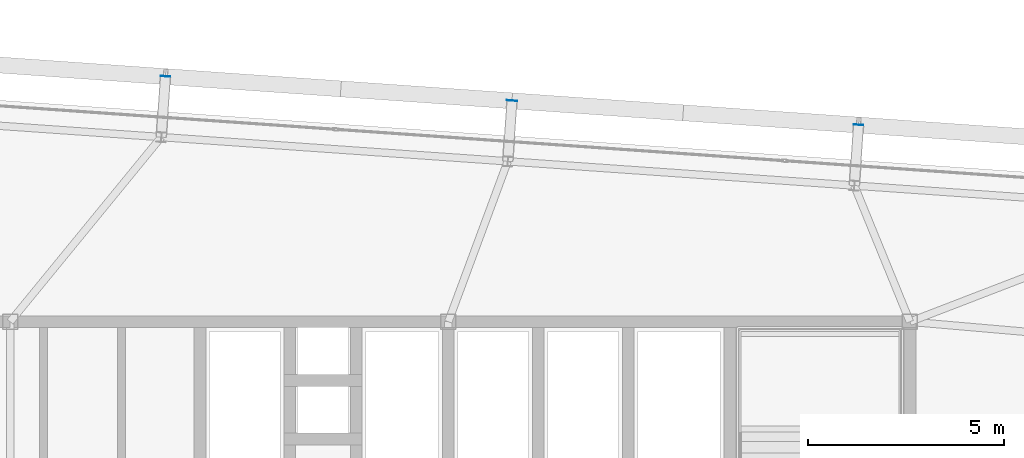
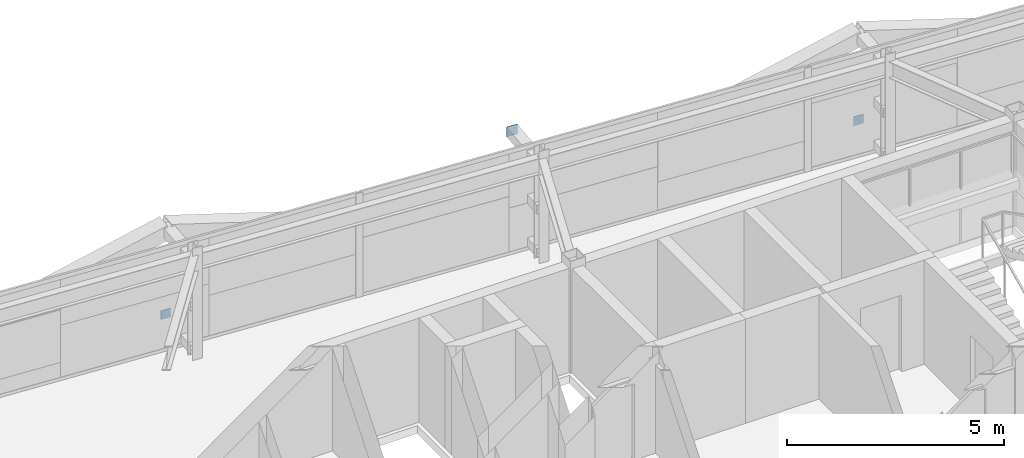
# One storey, part 33 of 39: 3 plates.
"""IFC4 building model written with IfcOpenShell, lengths in metres."""

import ifcopenshell
import ifcopenshell.guid

model = None  # the IFC model being written
_history = None  # IfcOwnerHistory: only IFC2X3 demands one
_inside = {}  # id of a spatial element -> (the spatial element, [elements in it])
_under = {}  # id of a project, library or spatial element -> (it, [spatial elements below it])
_declared = {}  # id of a project -> (the project, [libraries it declares])
_typed = {}  # id of a type object -> (the type object, [elements of that type])
_made_of = {}  # id of a material, layer set ... -> (it, [elements and type objects made of it])


def new_model(schema):
    """Start an empty IFC model of exactly this schema.

    Asked for "IFC4X3", IfcOpenShell would pick the latest addendum, in which some entities
    have other attributes; the version numbers below select the first issue.
    IFC2X3 requires an IfcOwnerHistory on every rooted entity: one is made here for all.
    """
    global model, _history
    if schema == "IFC4X3":
        model = ifcopenshell.file(schema_version=(4, 3, 0, 0))
    else:
        model = ifcopenshell.file(schema=schema)
    _inside.clear()
    _under.clear()
    _declared.clear()
    _typed.clear()
    _made_of.clear()
    _history = None
    if model.schema == "IFC2X3":
        org = make("IfcOrganization", Name="unknown")
        user = make(
            "IfcPersonAndOrganization",
            ThePerson=make("IfcPerson", FamilyName="unknown"),
            TheOrganization=org,
        )
        app = make(
            "IfcApplication",
            ApplicationDeveloper=org,
            Version="unknown",
            ApplicationFullName="unknown",
            ApplicationIdentifier="unknown",
        )
        _history = make(
            "IfcOwnerHistory",
            OwningUser=user,
            OwningApplication=app,
            ChangeAction="ADDED",
            CreationDate=0,
        )
    return model


def make(cls, **values):
    """One entity of the class cls with the attributes given. An attribute that is None is left unset."""
    return model.create_entity(
        cls, **{name: value for name, value in values.items() if value is not None}
    )


def rooted(cls, **values):
    """An entity with a GlobalId (a new one), such as an element, a storey or a relation."""
    return make(cls, GlobalId=ifcopenshell.guid.new(), OwnerHistory=_history, **values)


def si_unit(unit_type, name, prefix=None):
    """IfcSIUnit, for example si_unit("LENGTHUNIT", "METRE", prefix="MILLI")."""
    return make("IfcSIUnit", UnitType=unit_type, Prefix=prefix, Name=name)


def assignment(units):
    """IfcUnitAssignment: the units of a project."""
    return None if units is None else make("IfcUnitAssignment", Units=units)


def point(xyz):
    """IfcCartesianPoint."""
    return None if xyz is None else make("IfcCartesianPoint", Coordinates=xyz)


def direction(xyz):
    """IfcDirection."""
    return None if xyz is None else make("IfcDirection", DirectionRatios=xyz)


def frame(location, z_axis=None, x_axis=None):
    """IfcAxis2Placement3D, a coordinate frame: its origin and axes. An axis left out is left unset."""
    return make(
        "IfcAxis2Placement3D",
        Location=point(location),
        Axis=direction(z_axis),
        RefDirection=direction(x_axis),
    )


def frame_2d(location, x_axis=None):
    """IfcAxis2Placement2D, a coordinate frame in the plane: its origin and x axis."""
    return make(
        "IfcAxis2Placement2D", Location=point(location), RefDirection=direction(x_axis)
    )


def origin():
    """The frame at (0, 0, 0) with its axes left unset."""
    return frame((0.0, 0.0, 0.0))


def origin_2d():
    """The frame at (0, 0) in the plane with its x axis left unset."""
    return frame_2d((0.0, 0.0))


def place(relative_to, where):
    """IfcLocalPlacement: puts the frame where relative to a parent placement (None: the world)."""
    return make(
        "IfcLocalPlacement", PlacementRelTo=relative_to, RelativePlacement=where
    )


def context(
    kind, dimensions, precision=None, world=None, true_north=None, identifier=None
):
    """IfcGeometricRepresentationContext, for example the 3D "Model" context."""
    return make(
        "IfcGeometricRepresentationContext",
        ContextIdentifier=identifier,
        ContextType=kind,
        CoordinateSpaceDimension=dimensions,
        Precision=precision,
        WorldCoordinateSystem=world,
        TrueNorth=true_north,
    )


def subcontext(parent, identifier, kind, view, scale=None):
    """IfcGeometricRepresentationSubContext, for example "Body" below "Model"."""
    return make(
        "IfcGeometricRepresentationSubContext",
        ContextIdentifier=identifier,
        ContextType=kind,
        ParentContext=parent,
        TargetScale=scale,
        TargetView=view,
    )


def project(units=None, contexts=None):
    """IfcProject with its units and contexts."""
    return rooted(
        "IfcProject",
        Name="project",
        RepresentationContexts=contexts,
        UnitsInContext=assignment(units),
    )


def spatial(cls, under=None, at=None, **own):
    """A site, building, storey or space (cls), placed at a placement, below another one or the project."""
    s = rooted(cls, ObjectPlacement=at, **own)
    if under is not None:
        _under.setdefault(under.id(), (under, []))[1].append(s)
    return s


def profile(cls, at=None, kind="AREA", **sizes):
    """A parametric profile (cls). Its sizes go by their IFC names, for example OverallWidth=200.0."""
    return make(cls, ProfileType=kind, Position=at, **sizes)


def rectangle(**sizes):
    """IfcRectangleProfileDef."""
    return profile("IfcRectangleProfileDef", **sizes)


def extrude(swept, where, along, depth):
    """IfcExtrudedAreaSolid: the profile swept, set in the frame where, extruded along a direction by depth."""
    return make(
        "IfcExtrudedAreaSolid",
        SweptArea=swept,
        Position=where,
        ExtrudedDirection=direction(along),
        Depth=depth,
    )


def shape(context_of_items, identifier, shape_type, items):
    """IfcShapeRepresentation: the items that make up one representation, for example the "Body"."""
    return make(
        "IfcShapeRepresentation",
        ContextOfItems=context_of_items,
        RepresentationIdentifier=identifier,
        RepresentationType=shape_type,
        Items=items,
    )


def source(mapping_origin, context_of_items, identifier, shape_type, items):
    """IfcRepresentationMap: a shape defined once, which mapped items show again and again."""
    return make(
        "IfcRepresentationMap",
        MappingOrigin=mapping_origin,
        MappedRepresentation=shape(context_of_items, identifier, shape_type, items),
    )


def transform(
    local_origin,
    x_axis=None,
    y_axis=None,
    z_axis=None,
    scale=None,
    scale2=None,
    scale3=None,
    uniform=True,
):
    """IfcCartesianTransformationOperator3D, or its non-uniform kind. x_axis, y_axis, z_axis: its Axis1, 2, 3."""
    if uniform:
        return make(
            "IfcCartesianTransformationOperator3D",
            Axis1=direction(x_axis),
            Axis2=direction(y_axis),
            LocalOrigin=point(local_origin),
            Scale=scale,
            Axis3=direction(z_axis),
        )
    return make(
        "IfcCartesianTransformationOperator3DnonUniform",
        Axis1=direction(x_axis),
        Axis2=direction(y_axis),
        LocalOrigin=point(local_origin),
        Scale=scale,
        Axis3=direction(z_axis),
        Scale2=scale2,
        Scale3=scale3,
    )


def mapped(mapping_source, mapping_target):
    """IfcMappedItem: shows the shape of a source again, moved by a transform."""
    return make(
        "IfcMappedItem", MappingSource=mapping_source, MappingTarget=mapping_target
    )


def material(Name=None, Category=None):
    """IfcMaterial."""
    return make("IfcMaterial", Name=Name, Category=Category)


def layer(
    of_material, thickness, ventilated=None, Name=None, Category=None, Priority=None
):
    """IfcMaterialLayer: one layer of a wall or slab, of a material (None: an air gap)."""
    return make(
        "IfcMaterialLayer",
        Material=of_material,
        LayerThickness=thickness,
        IsVentilated=ventilated,
        Name=Name,
        Category=Category,
        Priority=Priority,
    )


def layer_set(layers, Name=None):
    """IfcMaterialLayerSet."""
    return make("IfcMaterialLayerSet", MaterialLayers=layers, LayerSetName=Name)


def made_of(thing, what):
    """Note that an element or type object is made of a material, layer set ...; save() writes the relation."""
    if what is not None:
        _made_of.setdefault(what.id(), (what, []))[1].append(thing)
    return thing


def type_object(cls, material=None, **own):
    """A type object (cls), such as IfcWallType, which elements share."""
    return made_of(rooted(cls, **own), material)


def element(
    cls,
    number,
    at=None,
    inside=None,
    cuts=None,
    type_object=None,
    material=None,
    context=None,
    identifier="Body",
    shape_type=None,
    held_by="IfcProductDefinitionShape",
    body=None,
    shapes=None,
    **own,
):
    """One element of the class cls, such as IfcWall. Its Tag is "e" and its number.

    at: its placement. inside: the storey or other place that contains it. cuts: it is an
    opening in that element (IfcRelVoidsElement). A single representation is given by context,
    identifier, shape_type and body (its items); several are given by shapes. held_by: the class
    of the entity that holds the representations. save() writes the other relations.
    """
    e = rooted(cls, Tag="e%d" % number, ObjectPlacement=at, **own)
    if body is not None:
        shapes = [shape(context, identifier, shape_type, body)]
    if shapes is not None:
        e.Representation = make(held_by, Representations=shapes)
    if inside is not None:
        _inside.setdefault(inside.id(), (inside, []))[1].append(e)
    if cuts is not None:
        rooted(
            "IfcRelVoidsElement", RelatingBuildingElement=cuts, RelatedOpeningElement=e
        )
    if type_object is not None:
        _typed.setdefault(type_object.id(), (type_object, []))[1].append(e)
    return made_of(e, material)


def aggregate(whole, parts):
    """IfcRelAggregates: a whole, such as a stair, and the parts it consists of."""
    return rooted("IfcRelAggregates", RelatingObject=whole, RelatedObjects=parts)


def save(model, path):
    """Write the relations noted so far, then the file.

    IfcRelAggregates (storeys below a building ...), IfcRelContainedInSpatialStructure (elements
    in a storey), IfcRelDefinesByType, IfcRelAssociatesMaterial and IfcRelDeclares: one each for
    every whole, place, type object, material and project.
    """
    for whole, parts in _under.values():
        aggregate(whole, parts)
    for where, things in _inside.values():
        rooted(
            "IfcRelContainedInSpatialStructure",
            RelatedElements=things,
            RelatingStructure=where,
        )
    for kind, things in _typed.values():
        rooted("IfcRelDefinesByType", RelatedObjects=things, RelatingType=kind)
    for what, things in _made_of.values():
        rooted("IfcRelAssociatesMaterial", RelatedObjects=things, RelatingMaterial=what)
    for by, libraries in _declared.values():
        rooted("IfcRelDeclares", RelatingContext=by, RelatedDefinitions=libraries)
    model.write(path)


model = new_model("IFC4")

# Units and contexts
model_context = context("Model", 3, precision=1e-05, world=origin(), true_north=direction((0.0, 1.0)))
body_context = subcontext(model_context, "Body", "Model", "MODEL_VIEW")
ifc_project = project(units=[si_unit("LENGTHUNIT", "METRE"), si_unit("AREAUNIT", "SQUARE_METRE"), si_unit("VOLUMEUNIT", "CUBIC_METRE"), si_unit("PLANEANGLEUNIT", "RADIAN"), si_unit("MASSUNIT", "GRAM", prefix="KILO")], contexts=[model_context])

# Site, building, storey
site_placement = place(None, origin())
site = spatial("IfcSite", under=ifc_project, at=site_placement, CompositionType="ELEMENT")
building_placement = place(site_placement, origin())
building = spatial("IfcBuilding", under=site, at=building_placement, Name="Taldren Reach Tower", CompositionType="ELEMENT")
storey_placement = place(building_placement, frame((0.0, 0.0, 136.14990234375)))
storey = spatial("IfcBuildingStorey", under=building, at=storey_placement, Name="L41", CompositionType="ELEMENT", Elevation=136.14990234375)

# Plates
ifc_material_1 = material(Name="Steel Gr 450 (C450L0)", Category="steel")
ifc_layer_1 = layer(ifc_material_1, 0.011962890625)
ifc_layer_set_1 = layer_set([ifc_layer_1], Name="Steel Gr 450 (C450L0)")
plate_type_1 = type_object("IfcPlateType", Name="PL-CAP-275", PredefinedType="SHEET", material=ifc_layer_set_1)
shared_shape_1 = source(origin(), body_context, "Body", "SweptSolid", [
    extrude(rectangle(XDim=0.27490234375, YDim=0.011962890625, at=origin_2d()), origin(), (0.0, 0.0, 1.0), 0.27490234375),
])
plate_placement = place(storey_placement, frame((40.828125, 37.652587890625, 2.5126953125), z_axis=(0.0, 0.0, 1.0), x_axis=(0.99756405026, -0.069756473744, 0.0)))
element("IfcPlate", 1, at=plate_placement, inside=storey, type_object=plate_type_1, Name="Tie strut end cap plate B3-N4 L41", PredefinedType="SHEET", context=body_context, shape_type="MappedRepresentation", body=[
    mapped(shared_shape_1, transform((0.0, 0.0, 0.0), scale=1.0)),
])
ifc_material_2 = material(Name="Steel Gr 350 (C350L0)", Category="steel")
ifc_layer_2 = layer(ifc_material_2, 0.011962890625)
ifc_layer_set_2 = layer_set([ifc_layer_2], Name="Steel Gr 350 (C350L0)")
plate_type_2 = type_object("IfcPlateType", Name="PL-CAP-250", PredefinedType="SHEET", material=ifc_layer_set_2)
shared_shape_2 = source(origin(), body_context, "Body", "SweptSolid", [
    extrude(rectangle(XDim=0.25, YDim=0.011962890625, at=origin_2d()), origin(), (0.0, 0.0, 1.0), 0.25),
])
for number, where, z_axis, x_axis, name in (
    (2, (31.969970703125, 38.272216796875, 0.09521484375), (0.0, 0.0, 1.0), (0.99756405026, -0.069756473744, 0.0), "Tie strut end cap plate B3-N3 L41"),
    (3, (49.6865234375, 37.033203125, 0.09521484375), (0.0, 0.0, 1.0), (0.99756405026, -0.069756473744, 0.0), "Tie strut end cap plate B3-N5 L41"),
):
    element("IfcPlate", number, at=place(storey_placement, frame(where, z_axis=z_axis, x_axis=x_axis)), inside=storey, type_object=plate_type_2, Name=name, PredefinedType="SHEET", context=body_context, shape_type="MappedRepresentation", body=[
        mapped(shared_shape_2, transform((0.0, 0.0, 0.0), scale=1.0)),
    ])

save(model, "model.ifc")
